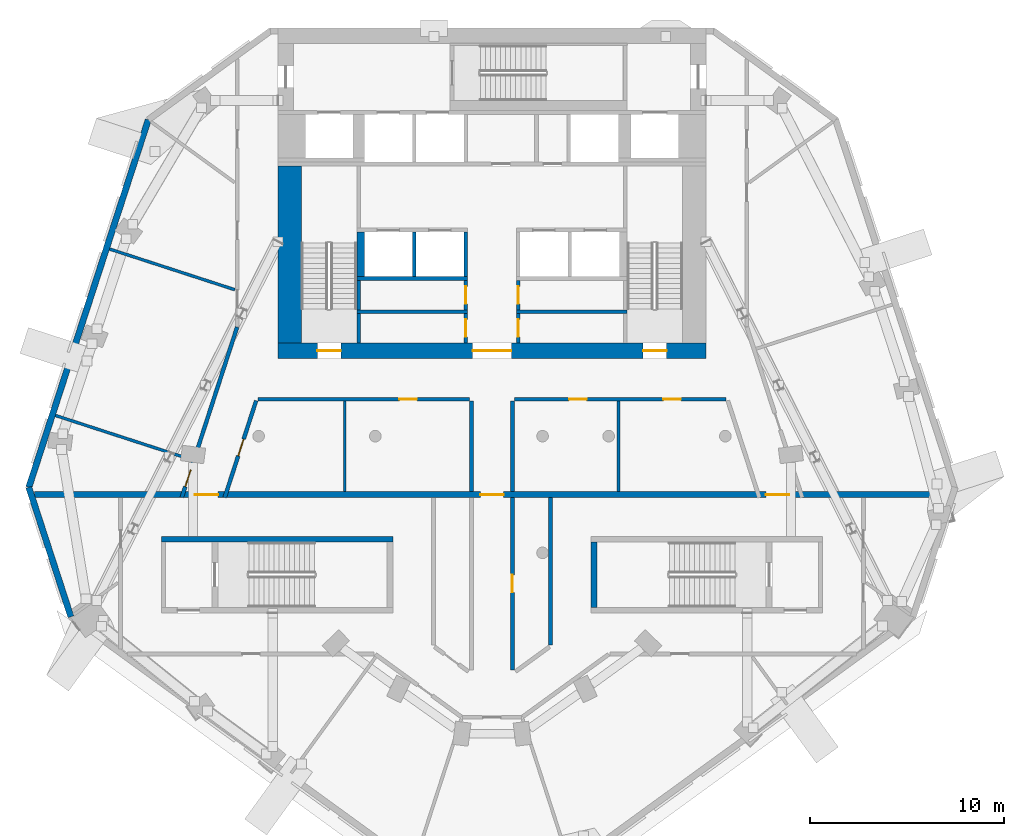
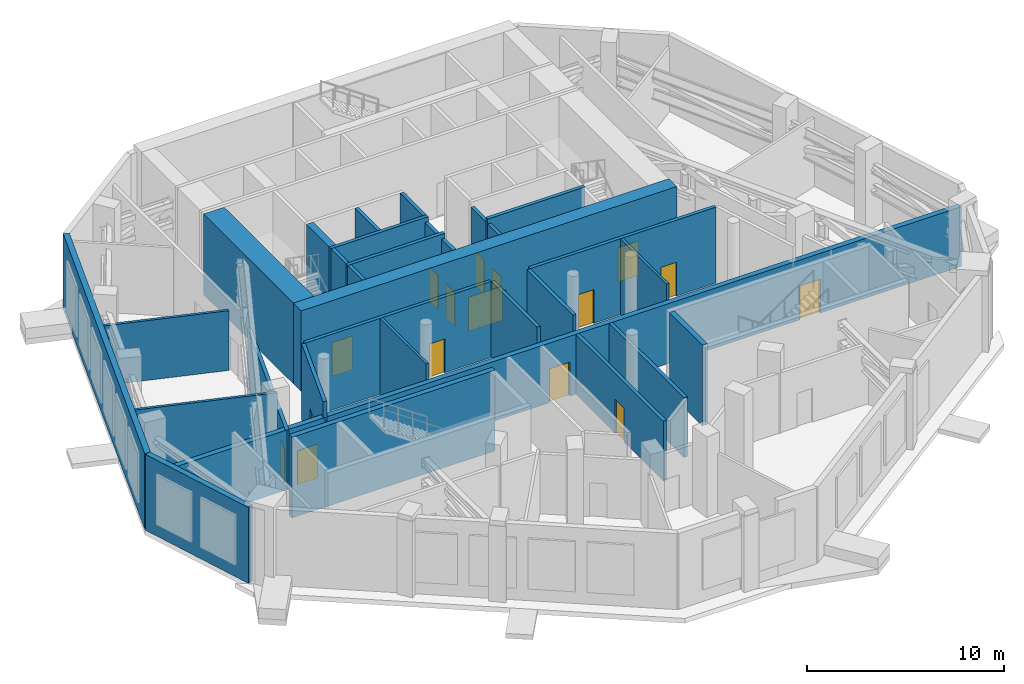
# One storey, part 8 of 16: 31 walls, 16 doors, 16 openings.
"""IFC4 building model written with IfcOpenShell, lengths in metres."""

from ifc_helpers import new_model, si_unit, direction, frame, frame_2d, origin, place, context, subcontext, project, spatial, rectangle, extrude, material, layer, layer_set, type_object, element, fill, save


model = new_model("IFC4")

# Units and contexts
model_context = context("Model", 3, precision=1e-05, world=origin(), true_north=direction((0.0, 1.0)))
body_context = subcontext(model_context, "Body", "Model", "MODEL_VIEW")
ifc_project = project(units=[si_unit("LENGTHUNIT", "METRE"), si_unit("AREAUNIT", "SQUARE_METRE"), si_unit("VOLUMEUNIT", "CUBIC_METRE"), si_unit("PLANEANGLEUNIT", "RADIAN"), si_unit("MASSUNIT", "GRAM", prefix="KILO")], contexts=[model_context])

# Site, building, storey
site_placement = place(None, origin())
site = spatial("IfcSite", under=ifc_project, at=site_placement, CompositionType="ELEMENT")
building_placement = place(site_placement, origin())
building = spatial("IfcBuilding", under=site, at=building_placement, Name="White Candle Pilgrim Tower", CompositionType="ELEMENT")
storey_placement = place(building_placement, frame((0.0, 0.0, 243.300048828125)))
storey = spatial("IfcBuildingStorey", under=building, at=storey_placement, Name="L57", CompositionType="ELEMENT", Elevation=243.300048828125)

# Wall, opening, door
ifc_material_1 = material(Name="Gypsum board on steel studs", Category="steel")
ifc_layer_1 = layer(ifc_material_1, 0.199951171875)
ifc_layer_set_1 = layer_set([ifc_layer_1], Name="Corridor wall 200 mm EI 45")
wall_type_1 = type_object("IfcWallType", Name="Corridor wall 200 mm EI 45", PredefinedType="PARTITIONING", material=ifc_layer_set_1)
wall_1_placement = place(storey_placement, frame((54.048828125, 63.85009765625, 0.0), z_axis=(0.0, 0.0, 1.0), x_axis=(0.309006358617, 0.951059971997, 0.0)))
wall_1 = element("IfcWall", 1, at=wall_1_placement, inside=storey, type_object=wall_type_1, Name="WL-L57-P002", PredefinedType="PARTITIONING", context=body_context, shape_type="SweptSolid", body=[
    extrude(rectangle(XDim=9.210693359375, YDim=0.199951171875, at=frame_2d((4.60546875, 0.0))), origin(), (0.0, 0.0, 1.0), 3.699951171875),
])
opening_1_placement = place(wall_1_placement, frame((0.590087890625, 0.0, 0.0)))
opening_1 = element("IfcOpeningElement", 2, at=opening_1_placement, cuts=wall_1, Name="Opening L57-111", PredefinedType="OPENING", context=body_context, shape_type="SweptSolid", body=[
    extrude(rectangle(XDim=0.89990234375, YDim=2.10009765625, at=frame_2d((0.449951171875, 1.050048828125))), frame((0.0, 0.10986328125, 0.0), z_axis=(0.0, -1.0, 0.0), x_axis=(1.0, 0.0, 0.0)), (0.0, 0.0, 1.0), 0.219970703125),
])
ifc_material_2 = material(Name="Steel door leaf", Category="steel")
door_type_1 = type_object("IfcDoorType", Name="Fire door 900 x 2100 EI 30", OperationType="NOTDEFINED", PredefinedType="DOOR", material=ifc_material_2)
door_1_placement = place(opening_1_placement, origin())
door_1 = element("IfcDoor", 3, at=door_1_placement, inside=storey, type_object=door_type_1, Name="Door L57-111", OperationType="SINGLE_SWING_LEFT", OverallHeight=2.10009765625, OverallWidth=0.89990234375, PredefinedType="DOOR", context=body_context, shape_type="SweptSolid", body=[
    extrude(rectangle(XDim=0.89990234375, YDim=2.10009765625, at=frame_2d((0.449951171875, 1.050048828125))), frame((0.0, 0.02490234375, 0.0), z_axis=(0.0, -1.0, 0.0), x_axis=(1.0, 0.0, 0.0)), (0.0, 0.0, 1.0), 0.050048828125),
])
fill(opening_1, door_1)

# Wall, openings, doors
wall_2_placement = place(storey_placement, frame((82.029541015625, 68.89990234375, 0.0), z_axis=(0.0, 0.0, 1.0), x_axis=(-1.0, 0.0, 0.0)))
wall_2 = element("IfcWall", 4, at=wall_2_placement, inside=storey, type_object=wall_type_1, Name="WL-L57-P013", PredefinedType="PARTITIONING", context=body_context, shape_type="SweptSolid", body=[
    extrude(rectangle(XDim=10.879638671875, YDim=0.199951171875, at=frame_2d((5.43994140625, 0.0))), origin(), (0.0, 0.0, 1.0), 4.699951171875),
])
opening_2_placement = place(wall_2_placement, frame((2.32080078125, 0.0, 0.0)))
opening_2 = element("IfcOpeningElement", 5, at=opening_2_placement, cuts=wall_2, Name="Opening L57-121", PredefinedType="OPENING", context=body_context, shape_type="SweptSolid", body=[
    extrude(rectangle(XDim=0.89990234375, YDim=2.10009765625, at=frame_2d((0.449951171875, 1.050048828125))), frame((0.0, 0.10986328125, 0.0), z_axis=(0.0, -1.0, 0.0), x_axis=(1.0, 0.0, 0.0)), (0.0, 0.0, 1.0), 0.219970703125),
])
opening_3_placement = place(wall_2_placement, frame((7.165771484375, 0.0, 0.0)))
opening_3 = element("IfcOpeningElement", 6, at=opening_3_placement, cuts=wall_2, Name="Opening L57-122", PredefinedType="OPENING", context=body_context, shape_type="SweptSolid", body=[
    extrude(rectangle(XDim=0.89990234375, YDim=2.10009765625, at=frame_2d((0.449951171875, 1.050048828125))), frame((0.0, 0.10986328125, 0.0), z_axis=(0.0, -1.0, 0.0), x_axis=(1.0, 0.0, 0.0)), (0.0, 0.0, 1.0), 0.219970703125),
])
door_2_placement = place(opening_2_placement, origin())
door_2 = element("IfcDoor", 7, at=door_2_placement, inside=storey, type_object=door_type_1, Name="Door L57-121", OperationType="SINGLE_SWING_LEFT", OverallHeight=2.10009765625, OverallWidth=0.89990234375, PredefinedType="DOOR", context=body_context, shape_type="SweptSolid", body=[
    extrude(rectangle(XDim=0.89990234375, YDim=2.10009765625, at=frame_2d((0.449951171875, 1.050048828125))), frame((0.0, 0.02490234375, 0.0), z_axis=(0.0, -1.0, 0.0), x_axis=(1.0, 0.0, 0.0)), (0.0, 0.0, 1.0), 0.050048828125),
])
fill(opening_2, door_2)
door_3_placement = place(opening_3_placement, origin())
door_3 = element("IfcDoor", 8, at=door_3_placement, inside=storey, type_object=door_type_1, Name="Door L57-122", OperationType="SINGLE_SWING_RIGHT", OverallHeight=2.10009765625, OverallWidth=0.89990234375, PredefinedType="DOOR", context=body_context, shape_type="SweptSolid", body=[
    extrude(rectangle(XDim=0.89990234375, YDim=2.10009765625, at=frame_2d((0.449951171875, 1.050048828125))), frame((0.0, 0.02490234375, 0.0), z_axis=(0.0, -1.0, 0.0), x_axis=(1.0, 0.0, 0.0)), (0.0, 0.0, 1.0), 0.050048828125),
])
fill(opening_3, door_3)

# Wall
wall_3_placement = place(storey_placement, frame((71.050048828125, 68.800048828125, 0.0), z_axis=(0.0, 0.0, 1.0), x_axis=(0.0, -1.0, 0.0)))
element("IfcWall", 9, at=wall_3_placement, inside=storey, type_object=wall_type_1, Name="WL-L57-P014", PredefinedType="PARTITIONING", context=body_context, shape_type="SweptSolid", body=[
    extrude(rectangle(XDim=4.650146484375, YDim=0.199951171875, at=frame_2d((2.3251953125, 0.0))), origin(), (0.0, 0.0, 1.0), 4.699951171875),
])

# Wall, opening, door
wall_4_placement = place(storey_placement, frame((71.050048828125, 63.85009765625, 0.0), z_axis=(0.0, 0.0, 1.0), x_axis=(0.0, -1.0, 0.0)))
wall_4 = element("IfcWall", 10, at=wall_4_placement, inside=storey, type_object=wall_type_1, Name="WL-L57-P015", PredefinedType="PARTITIONING", context=body_context, shape_type="SweptSolid", body=[
    extrude(rectangle(XDim=8.872314453125, YDim=0.199951171875, at=frame_2d((4.43603515625, 0.0))), origin(), (0.0, 0.0, 1.0), 3.699951171875),
])
opening_4_placement = place(wall_4_placement, frame((3.986083984375, 0.0, 0.0)))
opening_4 = element("IfcOpeningElement", 11, at=opening_4_placement, cuts=wall_4, Name="Opening L57-120", PredefinedType="OPENING", context=body_context, shape_type="SweptSolid", body=[
    extrude(rectangle(XDim=0.89990234375, YDim=2.10009765625, at=frame_2d((0.449951171875, 1.050048828125))), frame((0.0, 0.10986328125, 0.0), z_axis=(0.0, -1.0, 0.0), x_axis=(1.0, 0.0, 0.0)), (0.0, 0.0, 1.0), 0.219970703125),
])
door_4_placement = place(opening_4_placement, origin())
door_4 = element("IfcDoor", 12, at=door_4_placement, inside=storey, type_object=door_type_1, Name="Door L57-120", OperationType="SINGLE_SWING_RIGHT", OverallHeight=2.10009765625, OverallWidth=0.89990234375, PredefinedType="DOOR", context=body_context, shape_type="SweptSolid", body=[
    extrude(rectangle(XDim=0.89990234375, YDim=2.10009765625, at=frame_2d((0.449951171875, 1.050048828125))), frame((0.0, 0.02490234375, 0.0), z_axis=(0.0, -1.0, 0.0), x_axis=(1.0, 0.0, 0.0)), (0.0, 0.0, 1.0), 0.050048828125),
])
fill(opening_4, door_4)

# Walls
wall_5_placement = place(storey_placement, frame((73.0, 56.249267578125, 0.0), z_axis=(0.0, 0.0, 1.0), x_axis=(0.0, 1.0, 0.0)))
element("IfcWall", 13, at=wall_5_placement, inside=storey, type_object=wall_type_1, Name="WL-L57-P017", PredefinedType="PARTITIONING", context=body_context, shape_type="SweptSolid", body=[
    extrude(rectangle(XDim=7.600830078125, YDim=0.199951171875, at=frame_2d((3.80029296875, 0.0))), origin(), (0.0, 0.0, 1.0), 3.699951171875),
])
wall_6_placement = place(storey_placement, frame((68.949951171875, 64.14990234375, 0.0), z_axis=(0.0, 0.0, 1.0), x_axis=(0.0, 1.0, 0.0)))
element("IfcWall", 14, at=wall_6_placement, inside=storey, type_object=wall_type_1, Name="WL-L57-P021", PredefinedType="PARTITIONING", context=body_context, shape_type="SweptSolid", body=[
    extrude(rectangle(XDim=4.650146484375, YDim=0.199951171875, at=frame_2d((2.3251953125, 0.0))), origin(), (0.0, 0.0, 1.0), 4.699951171875),
])

# Wall, opening, door
wall_7_placement = place(storey_placement, frame((68.85009765625, 68.89990234375, 0.0), z_axis=(0.0, 0.0, 1.0), x_axis=(-1.0, 0.0, 0.0)))
wall_7 = element("IfcWall", 15, at=wall_7_placement, inside=storey, type_object=wall_type_1, Name="WL-L57-P022", PredefinedType="PARTITIONING", context=body_context, shape_type="SweptSolid", body=[
    extrude(rectangle(XDim=10.879638671875, YDim=0.199951171875, at=frame_2d((5.43994140625, 0.0))), origin(), (0.0, 0.0, 1.0), 4.699951171875),
])
opening_5_placement = place(wall_7_placement, frame((2.711669921875, 0.0, 0.0)))
opening_5 = element("IfcOpeningElement", 16, at=opening_5_placement, cuts=wall_7, Name="Opening L57-110", PredefinedType="OPENING", context=body_context, shape_type="SweptSolid", body=[
    extrude(rectangle(XDim=0.89990234375, YDim=2.10009765625, at=frame_2d((0.449951171875, 1.050048828125))), frame((0.0, 0.10986328125, 0.0), z_axis=(0.0, -1.0, 0.0), x_axis=(1.0, 0.0, 0.0)), (0.0, 0.0, 1.0), 0.219970703125),
])
door_5_placement = place(opening_5_placement, origin())
door_5 = element("IfcDoor", 17, at=door_5_placement, inside=storey, type_object=door_type_1, Name="Door L57-110", OperationType="SINGLE_SWING_RIGHT", OverallHeight=2.10009765625, OverallWidth=0.89990234375, PredefinedType="DOOR", context=body_context, shape_type="SweptSolid", body=[
    extrude(rectangle(XDim=0.89990234375, YDim=2.10009765625, at=frame_2d((0.449951171875, 1.050048828125))), frame((0.0, 0.02490234375, 0.0), z_axis=(0.0, -1.0, 0.0), x_axis=(1.0, 0.0, 0.0)), (0.0, 0.0, 1.0), 0.050048828125),
])
fill(opening_5, door_5)

wall_8_placement = place(storey_placement, frame((57.875244140625, 68.830810546875, 0.0), z_axis=(0.0, 0.0, 1.0), x_axis=(-0.309030204086, -0.951052224099, 0.0)))
wall_8 = element("IfcWall", 18, at=wall_8_placement, inside=storey, type_object=wall_type_1, Name="WL-L57-P023", PredefinedType="PARTITIONING", context=body_context, shape_type="SweptSolid", body=[
    extrude(rectangle(XDim=5.237060546875, YDim=0.199951171875, at=frame_2d((2.61865234375, 0.0))), origin(), (0.0, 0.0, 1.0), 4.699951171875),
])
opening_6_placement = place(wall_8_placement, frame((2.08935546875, 0.0, 0.0)))
opening_6 = element("IfcOpeningElement", 19, at=opening_6_placement, cuts=wall_8, Name="Opening L57-123", PredefinedType="OPENING", context=body_context, shape_type="SweptSolid", body=[
    extrude(rectangle(XDim=0.89990234375, YDim=2.10009765625, at=frame_2d((0.449951171875, 1.050048828125))), frame((0.0, 0.10986328125, 0.0), z_axis=(0.0, -1.0, 0.0), x_axis=(1.0, 0.0, 0.0)), (0.0, 0.0, 1.0), 0.219970703125),
])
door_6_placement = place(opening_6_placement, origin())
door_6 = element("IfcDoor", 20, at=door_6_placement, inside=storey, type_object=door_type_1, Name="Door L57-123", OperationType="SINGLE_SWING_LEFT", OverallHeight=2.10009765625, OverallWidth=0.89990234375, PredefinedType="DOOR", context=body_context, shape_type="SweptSolid", body=[
    extrude(rectangle(XDim=0.89990234375, YDim=2.10009765625, at=frame_2d((0.449951171875, 1.050048828125))), frame((0.0, 0.02490234375, 0.0), z_axis=(0.0, -1.0, 0.0), x_axis=(1.0, 0.0, 0.0)), (0.0, 0.0, 1.0), 0.050048828125),
])
fill(opening_6, door_6)

# Walls
ifc_material_3 = material(Name="Precast concrete C40/50", Category="concrete")
ifc_layer_2 = layer(ifc_material_3, 0.320068359375)
ifc_layer_set_2 = layer_set([ifc_layer_2], Name="Facade wall EW2 precast concrete C40/50 plant wall behind louvres")
wall_type_2 = type_object("IfcWallType", Name="Facade wall EW2 precast concrete C40/50 plant wall behind louvres", PredefinedType="SOLIDWALL", material=ifc_layer_set_2)
wall_9_placement = place(storey_placement, frame((46.184326171875, 64.368896484375, 0.0), z_axis=(0.0, 0.0, 1.0), x_axis=(0.309010371736, -0.951058668095, 0.0)))
element("IfcWall", 21, at=wall_9_placement, inside=storey, type_object=wall_type_2, Name="Facade wall L57 W chamfer", PredefinedType="SOLIDWALL", context=body_context, shape_type="SweptSolid", body=[
    extrude(rectangle(XDim=7.000732421875, YDim=0.320068359375, at=frame_2d((3.50048828125, 0.0))), origin(), (0.0, 0.0, 1.0), 4.699951171875),
])
wall_10_placement = place(storey_placement, frame((52.32568359375, 83.270751953125, 0.0), z_axis=(0.0, 0.0, 1.0), x_axis=(-0.309006630814, -0.951059883558, 0.0)))
element("IfcWall", 22, at=wall_10_placement, inside=storey, type_object=wall_type_2, Name="Facade wall L57 WNW", PredefinedType="SOLIDWALL", context=body_context, shape_type="SweptSolid", body=[
    extrude(rectangle(XDim=19.87451171875, YDim=0.320068359375, at=frame_2d((9.937255859375, 0.0))), origin(), (0.0, 0.0, 1.0), 4.699951171875),
])

# Wall, openings, doors
ifc_material_4 = material(Name="Aerated concrete block", Category="concrete")
ifc_layer_3 = layer(ifc_material_4, 0.300048828125)
ifc_layer_set_3 = layer_set([ifc_layer_3], Name="Fire wall 300 mm REI 240")
wall_type_3 = type_object("IfcWallType", Name="Fire wall 300 mm REI 240", PredefinedType="PARTITIONING", material=ifc_layer_set_3)
wall_11_placement = place(storey_placement, frame((46.472412109375, 64.0, 0.0), z_axis=(0.0, 0.0, 1.0), x_axis=(1.0, 0.0, 0.0)))
wall_11 = element("IfcWall", 23, at=wall_11_placement, inside=storey, type_object=wall_type_3, Name="WL-L57-P001", PredefinedType="PARTITIONING", context=body_context, shape_type="SweptSolid", body=[
    extrude(rectangle(XDim=47.05517578125, YDim=0.300048828125, at=frame_2d((23.527587890625, 0.0))), origin(), (0.0, 0.0, 1.0), 3.699951171875),
])
opening_7_placement = place(wall_11_placement, frame((8.2490234375, 0.0, 0.0)))
opening_7 = element("IfcOpeningElement", 24, at=opening_7_placement, cuts=wall_11, Name="Opening L57-107", PredefinedType="OPENING", context=body_context, shape_type="SweptSolid", body=[
    extrude(rectangle(XDim=1.199951171875, YDim=2.10009765625, at=frame_2d((0.60009765625, 1.050048828125))), frame((0.0, 0.159912109375, 0.0), z_axis=(0.0, -1.0, 0.0), x_axis=(1.0, 0.0, 0.0)), (0.0, 0.0, 1.0), 0.320068359375),
])
opening_8_placement = place(wall_11_placement, frame((22.927490234375, 0.0, 0.0)))
opening_8 = element("IfcOpeningElement", 25, at=opening_8_placement, cuts=wall_11, Name="Opening L57-108", PredefinedType="OPENING", context=body_context, shape_type="SweptSolid", body=[
    extrude(rectangle(XDim=1.199951171875, YDim=2.10009765625, at=frame_2d((0.60009765625, 1.050048828125))), frame((0.0, 0.159912109375, 0.0), z_axis=(0.0, -1.0, 0.0), x_axis=(1.0, 0.0, 0.0)), (0.0, 0.0, 1.0), 0.320068359375),
])
opening_9_placement = place(wall_11_placement, frame((37.606201171875, 0.0, 0.0)))
opening_9 = element("IfcOpeningElement", 26, at=opening_9_placement, cuts=wall_11, Name="Opening L57-109", PredefinedType="OPENING", context=body_context, shape_type="SweptSolid", body=[
    extrude(rectangle(XDim=1.199951171875, YDim=2.10009765625, at=frame_2d((0.60009765625, 1.050048828125))), frame((0.0, 0.159912109375, 0.0), z_axis=(0.0, -1.0, 0.0), x_axis=(1.0, 0.0, 0.0)), (0.0, 0.0, 1.0), 0.320068359375),
])
door_type_2 = type_object("IfcDoorType", Name="Fire door 1200 x 2100 EI 60", OperationType="NOTDEFINED", PredefinedType="DOOR", material=ifc_material_2)
door_7_placement = place(opening_7_placement, origin())
door_7 = element("IfcDoor", 27, at=door_7_placement, inside=storey, type_object=door_type_2, Name="Door L57-107", OperationType="SINGLE_SWING_LEFT", OverallHeight=2.10009765625, OverallWidth=1.199951171875, PredefinedType="DOOR", context=body_context, shape_type="SweptSolid", body=[
    extrude(rectangle(XDim=1.199951171875, YDim=2.10009765625, at=frame_2d((0.60009765625, 1.050048828125))), frame((0.0, 0.02490234375, 0.0), z_axis=(0.0, -1.0, 0.0), x_axis=(1.0, 0.0, 0.0)), (0.0, 0.0, 1.0), 0.050048828125),
])
fill(opening_7, door_7)
door_8_placement = place(opening_8_placement, origin())
door_8 = element("IfcDoor", 28, at=door_8_placement, inside=storey, type_object=door_type_2, Name="Door L57-108", OperationType="SINGLE_SWING_RIGHT", OverallHeight=2.10009765625, OverallWidth=1.199951171875, PredefinedType="DOOR", context=body_context, shape_type="SweptSolid", body=[
    extrude(rectangle(XDim=1.199951171875, YDim=2.10009765625, at=frame_2d((0.60009765625, 1.050048828125))), frame((0.0, 0.02490234375, 0.0), z_axis=(0.0, -1.0, 0.0), x_axis=(1.0, 0.0, 0.0)), (0.0, 0.0, 1.0), 0.050048828125),
])
fill(opening_8, door_8)
door_9_placement = place(opening_9_placement, origin())
door_9 = element("IfcDoor", 29, at=door_9_placement, inside=storey, type_object=door_type_2, Name="Door L57-109", OperationType="SINGLE_SWING_LEFT", OverallHeight=2.10009765625, OverallWidth=1.199951171875, PredefinedType="DOOR", context=body_context, shape_type="SweptSolid", body=[
    extrude(rectangle(XDim=1.199951171875, YDim=2.10009765625, at=frame_2d((0.60009765625, 1.050048828125))), frame((0.0, 0.02490234375, 0.0), z_axis=(0.0, -1.0, 0.0), x_axis=(1.0, 0.0, 0.0)), (0.0, 0.0, 1.0), 0.050048828125),
])
fill(opening_9, door_9)

# Wall, opening, door
ifc_layer_4 = layer(ifc_material_1, 0.199951171875)
ifc_layer_set_4 = layer_set([ifc_layer_4], Name="Lobby wall 200 mm EI 60")
wall_type_4 = type_object("IfcWallType", Name="Lobby wall 200 mm EI 60", PredefinedType="PARTITIONING", material=ifc_layer_set_4)
wall_12_placement = place(storey_placement, frame((68.64990234375, 71.800048828125, 0.0), z_axis=(0.0, 0.0, 1.0), x_axis=(0.0, 1.0, 0.0)))
wall_12 = element("IfcWall", 30, at=wall_12_placement, inside=storey, type_object=wall_type_4, Name="WL-L57-C14", PredefinedType="PARTITIONING", context=body_context, shape_type="SweptSolid", body=[
    extrude(rectangle(XDim=1.5, YDim=0.199951171875, at=frame_2d((0.75, 0.0))), origin(), (0.0, 0.0, 1.0), 4.699951171875),
])
opening_10_placement = place(wall_12_placement, frame((0.300048828125, 0.0, 0.0)))
opening_10 = element("IfcOpeningElement", 31, at=opening_10_placement, cuts=wall_12, Name="Opening L57-005", PredefinedType="OPENING", context=body_context, shape_type="SweptSolid", body=[
    extrude(rectangle(XDim=0.89990234375, YDim=2.10009765625, at=frame_2d((0.449951171875, 1.050048828125))), frame((0.0, 0.10986328125, 0.0), z_axis=(0.0, -1.0, 0.0), x_axis=(1.0, 0.0, 0.0)), (0.0, 0.0, 1.0), 0.219970703125),
])
door_10_placement = place(opening_10_placement, origin())
door_10 = element("IfcDoor", 32, at=door_10_placement, inside=storey, type_object=door_type_1, Name="Door L57-005", OperationType="SINGLE_SWING_LEFT", OverallHeight=2.10009765625, OverallWidth=0.89990234375, PredefinedType="DOOR", context=body_context, shape_type="SweptSolid", body=[
    extrude(rectangle(XDim=0.89990234375, YDim=2.10009765625, at=frame_2d((0.449951171875, 1.050048828125))), frame((0.0, 0.02490234375, 0.0), z_axis=(0.0, -1.0, 0.0), x_axis=(1.0, 0.0, 0.0)), (0.0, 0.0, 1.0), 0.050048828125),
])
fill(opening_10, door_10)

wall_13_placement = place(storey_placement, frame((71.35009765625, 71.800048828125, 0.0), z_axis=(0.0, 0.0, 1.0), x_axis=(0.0, 1.0, 0.0)))
wall_13 = element("IfcWall", 33, at=wall_13_placement, inside=storey, type_object=wall_type_4, Name="WL-L57-C15", PredefinedType="PARTITIONING", context=body_context, shape_type="SweptSolid", body=[
    extrude(rectangle(XDim=1.5, YDim=0.199951171875, at=frame_2d((0.75, 0.0))), origin(), (0.0, 0.0, 1.0), 4.699951171875),
])
opening_11_placement = place(wall_13_placement, frame((0.300048828125, 0.0, 0.0)))
opening_11 = element("IfcOpeningElement", 34, at=opening_11_placement, cuts=wall_13, Name="Opening L57-007", PredefinedType="OPENING", context=body_context, shape_type="SweptSolid", body=[
    extrude(rectangle(XDim=0.89990234375, YDim=2.10009765625, at=frame_2d((0.449951171875, 1.050048828125))), frame((0.0, 0.10986328125, 0.0), z_axis=(0.0, -1.0, 0.0), x_axis=(1.0, 0.0, 0.0)), (0.0, 0.0, 1.0), 0.219970703125),
])
door_11_placement = place(opening_11_placement, origin())
door_11 = element("IfcDoor", 35, at=door_11_placement, inside=storey, type_object=door_type_1, Name="Door L57-007", OperationType="SINGLE_SWING_LEFT", OverallHeight=2.10009765625, OverallWidth=0.89990234375, PredefinedType="DOOR", context=body_context, shape_type="SweptSolid", body=[
    extrude(rectangle(XDim=0.89990234375, YDim=2.10009765625, at=frame_2d((0.449951171875, 1.050048828125))), frame((0.0, 0.02490234375, 0.0), z_axis=(0.0, -1.0, 0.0), x_axis=(1.0, 0.0, 0.0)), (0.0, 0.0, 1.0), 0.050048828125),
])
fill(opening_11, door_11)

wall_14_placement = place(storey_placement, frame((68.64990234375, 73.5, 0.0), z_axis=(0.0, 0.0, 1.0), x_axis=(0.0, 1.0, 0.0)))
wall_14 = element("IfcWall", 36, at=wall_14_placement, inside=storey, type_object=wall_type_4, Name="WL-L57-C21", PredefinedType="PARTITIONING", context=body_context, shape_type="SweptSolid", body=[
    extrude(rectangle(XDim=1.5, YDim=0.199951171875, at=frame_2d((0.75, 0.0))), origin(), (0.0, 0.0, 1.0), 4.699951171875),
])
opening_12_placement = place(wall_14_placement, frame((0.300048828125, 0.0, 0.0)))
opening_12 = element("IfcOpeningElement", 37, at=opening_12_placement, cuts=wall_14, Name="Opening L57-006", PredefinedType="OPENING", context=body_context, shape_type="SweptSolid", body=[
    extrude(rectangle(XDim=0.89990234375, YDim=2.10009765625, at=frame_2d((0.449951171875, 1.050048828125))), frame((0.0, 0.10986328125, 0.0), z_axis=(0.0, -1.0, 0.0), x_axis=(1.0, 0.0, 0.0)), (0.0, 0.0, 1.0), 0.219970703125),
])
door_12_placement = place(opening_12_placement, origin())
door_12 = element("IfcDoor", 38, at=door_12_placement, inside=storey, type_object=door_type_1, Name="Door L57-006", OperationType="SINGLE_SWING_RIGHT", OverallHeight=2.10009765625, OverallWidth=0.89990234375, PredefinedType="DOOR", context=body_context, shape_type="SweptSolid", body=[
    extrude(rectangle(XDim=0.89990234375, YDim=2.10009765625, at=frame_2d((0.449951171875, 1.050048828125))), frame((0.0, 0.02490234375, 0.0), z_axis=(0.0, -1.0, 0.0), x_axis=(1.0, 0.0, 0.0)), (0.0, 0.0, 1.0), 0.050048828125),
])
fill(opening_12, door_12)

wall_15_placement = place(storey_placement, frame((71.35009765625, 73.5, 0.0), z_axis=(0.0, 0.0, 1.0), x_axis=(0.0, 1.0, 0.0)))
wall_15 = element("IfcWall", 39, at=wall_15_placement, inside=storey, type_object=wall_type_4, Name="WL-L57-C22", PredefinedType="PARTITIONING", context=body_context, shape_type="SweptSolid", body=[
    extrude(rectangle(XDim=1.5, YDim=0.199951171875, at=frame_2d((0.75, 0.0))), origin(), (0.0, 0.0, 1.0), 4.699951171875),
])
opening_13_placement = place(wall_15_placement, frame((0.300048828125, 0.0, 0.0)))
opening_13 = element("IfcOpeningElement", 40, at=opening_13_placement, cuts=wall_15, Name="Opening L57-008", PredefinedType="OPENING", context=body_context, shape_type="SweptSolid", body=[
    extrude(rectangle(XDim=0.89990234375, YDim=2.10009765625, at=frame_2d((0.449951171875, 1.050048828125))), frame((0.0, 0.10986328125, 0.0), z_axis=(0.0, -1.0, 0.0), x_axis=(1.0, 0.0, 0.0)), (0.0, 0.0, 1.0), 0.219970703125),
])
door_13_placement = place(opening_13_placement, origin())
door_13 = element("IfcDoor", 41, at=door_13_placement, inside=storey, type_object=door_type_1, Name="Door L57-008", OperationType="SINGLE_SWING_RIGHT", OverallHeight=2.10009765625, OverallWidth=0.89990234375, PredefinedType="DOOR", context=body_context, shape_type="SweptSolid", body=[
    extrude(rectangle(XDim=0.89990234375, YDim=2.10009765625, at=frame_2d((0.449951171875, 1.050048828125))), frame((0.0, 0.02490234375, 0.0), z_axis=(0.0, -1.0, 0.0), x_axis=(1.0, 0.0, 0.0)), (0.0, 0.0, 1.0), 0.050048828125),
])
fill(opening_13, door_13)

# Walls
ifc_layer_5 = layer(ifc_material_1, 0.14990234375)
ifc_layer_set_5 = layer_set([ifc_layer_5], Name="Partition 150 mm EI 60")
wall_type_5 = type_object("IfcWallType", Name="Partition 150 mm EI 60", PredefinedType="PARTITIONING", material=ifc_layer_set_5)
wall_16_placement = place(storey_placement, frame((50.334228515625, 76.62353515625, 0.0), z_axis=(0.0, 0.0, 1.0), x_axis=(0.95105975592, -0.309007023656, 0.0)))
element("IfcWall", 42, at=wall_16_placement, inside=storey, type_object=wall_type_5, Name="WL-L57-P031", PredefinedType="PARTITIONING", context=body_context, shape_type="SweptSolid", body=[
    extrude(rectangle(XDim=6.774169921875, YDim=0.14990234375, at=frame_2d((3.38720703125, 0.0))), origin(), (0.0, 0.0, 1.0), 3.699951171875),
])
wall_17_placement = place(storey_placement, frame((47.552978515625, 68.06396484375, 0.0), z_axis=(0.0, 0.0, 1.0), x_axis=(0.951060806233, -0.309003790992, 0.0)))
element("IfcWall", 43, at=wall_17_placement, inside=storey, type_object=wall_type_5, Name="WL-L57-P032", PredefinedType="PARTITIONING", context=body_context, shape_type="SweptSolid", body=[
    extrude(rectangle(XDim=7.380126953125, YDim=0.14990234375, at=frame_2d((3.68994140625, 0.0))), origin(), (0.0, 0.0, 1.0), 4.699951171875),
])
for number, where, z_axis, x_axis, name in (
    (44, (62.4267578125, 64.14990234375, 0.0), (0.0, 0.0, 1.0), (0.0, 1.0, 0.0), "WL-L57-P036"),
    (45, (76.504638671875, 64.14990234375, 0.0), (0.0, 0.0, 1.0), (0.0, 1.0, 0.0), "WL-L57-P037"),
):
    element("IfcWall", number, at=place(storey_placement, frame(where, z_axis=z_axis, x_axis=x_axis)), inside=storey, type_object=wall_type_5, Name=name, PredefinedType="PARTITIONING", context=body_context, shape_type="SweptSolid", body=[
        extrude(rectangle(XDim=4.650146484375, YDim=0.14990234375, at=frame_2d((2.3251953125, 0.0))), origin(), (0.0, 0.0, 1.0), 4.699951171875),
    ])
ifc_material_5 = material(Name="Concrete C50/60", Category="concrete")
ifc_layer_6 = layer(ifc_material_5, 0.199951171875)
ifc_layer_set_6 = layer_set([ifc_layer_6], Name="Shaft wall 200 mm Concrete C50/60")
wall_type_6 = type_object("IfcWallType", Name="Shaft wall 200 mm Concrete C50/60", PredefinedType="SHEAR", material=ifc_layer_set_6)
for number, where, z_axis, x_axis, name in (
    (46, (66.0, 75.199951171875, 0.0), (0.0, 0.0, 1.0), (0.0, 1.0, 0.0), "WL-L57-C27"),
    (47, (68.64990234375, 75.199951171875, 0.0), (0.0, 0.0, 1.0), (0.0, 1.0, 0.0), "WL-L57-C28"),
):
    element("IfcWall", number, at=place(storey_placement, frame(where, z_axis=z_axis, x_axis=x_axis)), inside=storey, type_object=wall_type_6, Name=name, PredefinedType="SHEAR", context=body_context, shape_type="SweptSolid", body=[
        extrude(rectangle(XDim=2.300048828125, YDim=0.199951171875, at=frame_2d((1.14990234375, 0.0))), origin(), (0.0, 0.0, 1.0), 5.0),
    ])
ifc_layer_7 = layer(ifc_material_5, 1.199951171875)
ifc_layer_set_7 = layer_set([ifc_layer_7], Name="Stair shaft wall 1200 mm Concrete C50/60")
wall_type_7 = type_object("IfcWallType", Name="Stair shaft wall 1200 mm Concrete C50/60", PredefinedType="SHEAR", material=ifc_layer_set_7)
wall_18_placement = place(storey_placement, frame((59.60009765625, 71.800048828125, 0.0), z_axis=(0.0, 0.0, 1.0), x_axis=(0.0, 1.0, 0.0)))
element("IfcWall", 48, at=wall_18_placement, inside=storey, type_object=wall_type_7, Name="WL-L57-C12", PredefinedType="SHEAR", context=body_context, shape_type="SweptSolid", body=[
    extrude(rectangle(XDim=9.099853515625, YDim=1.199951171875, at=frame_2d((4.5498046875, 0.0))), origin(), (0.0, 0.0, 1.0), 5.0),
])
ifc_layer_8 = layer(ifc_material_5, 0.199951171875)
ifc_layer_set_8 = layer_set([ifc_layer_8], Name="Stair shaft wall 200 mm Concrete C50/60")
wall_type_8 = type_object("IfcWallType", Name="Stair shaft wall 200 mm Concrete C50/60", PredefinedType="SHEAR", material=ifc_layer_set_8)
wall_19_placement = place(storey_placement, frame((63.14990234375, 71.800048828125, 0.0), z_axis=(0.0, 0.0, 1.0), x_axis=(0.0, 1.0, 0.0)))
element("IfcWall", 49, at=wall_19_placement, inside=storey, type_object=wall_type_8, Name="WL-L57-C13", PredefinedType="SHEAR", context=body_context, shape_type="SweptSolid", body=[
    extrude(rectangle(XDim=1.5, YDim=0.199951171875, at=frame_2d((0.75, 0.0))), origin(), (0.0, 0.0, 1.0), 5.0),
])
for number, where, z_axis, x_axis, name in (
    (50, (63.050048828125, 73.39990234375, 0.0), (0.0, 0.0, 1.0), (1.0, 0.0, 0.0), "WL-L57-C18"),
    (51, (71.25, 73.39990234375, 0.0), (0.0, 0.0, 1.0), (1.0, 0.0, 0.0), "WL-L57-C19"),
):
    element("IfcWall", number, at=place(storey_placement, frame(where, z_axis=z_axis, x_axis=x_axis)), inside=storey, type_object=wall_type_8, Name=name, PredefinedType="SHEAR", context=body_context, shape_type="SweptSolid", body=[
        extrude(rectangle(XDim=5.699951171875, YDim=0.199951171875, at=frame_2d((2.85009765625, 0.0))), origin(), (0.0, 0.0, 1.0), 5.0),
    ])
wall_20_placement = place(storey_placement, frame((63.14990234375, 73.5, 0.0), z_axis=(0.0, 0.0, 1.0), x_axis=(0.0, 1.0, 0.0)))
element("IfcWall", 52, at=wall_20_placement, inside=storey, type_object=wall_type_8, Name="WL-L57-C20", PredefinedType="SHEAR", context=body_context, shape_type="SweptSolid", body=[
    extrude(rectangle(XDim=1.5, YDim=0.199951171875, at=frame_2d((0.75, 0.0))), origin(), (0.0, 0.0, 1.0), 5.0),
])
wall_21_placement = place(storey_placement, frame((63.050048828125, 75.10009765625, 0.0), z_axis=(0.0, 0.0, 1.0), x_axis=(1.0, 0.0, 0.0)))
element("IfcWall", 53, at=wall_21_placement, inside=storey, type_object=wall_type_8, Name="WL-L57-C24", PredefinedType="SHEAR", context=body_context, shape_type="SweptSolid", body=[
    extrude(rectangle(XDim=5.699951171875, YDim=0.199951171875, at=frame_2d((2.85009765625, 0.0))), origin(), (0.0, 0.0, 1.0), 5.0),
])
ifc_layer_9 = layer(ifc_material_5, 0.300048828125)
ifc_layer_set_9 = layer_set([ifc_layer_9], Name="Stair shaft wall 300 mm Concrete C50/60")
wall_type_9 = type_object("IfcWallType", Name="Stair shaft wall 300 mm Concrete C50/60", PredefinedType="SHEAR", material=ifc_layer_set_9)
wall_22_placement = place(storey_placement, frame((75.25, 58.199951171875, 0.0), z_axis=(0.0, 0.0, 1.0), x_axis=(0.0, 1.0, 0.0)))
element("IfcWall", 54, at=wall_22_placement, inside=storey, type_object=wall_type_9, Name="WL-L57-C06", PredefinedType="SHEAR", context=body_context, shape_type="SweptSolid", body=[
    extrude(rectangle(XDim=3.35009765625, YDim=0.300048828125, at=frame_2d((1.675048828125, 0.0))), origin(), (0.0, 0.0, 1.0), 5.0),
])
wall_23_placement = place(storey_placement, frame((53.0, 61.699951171875, 0.0), z_axis=(0.0, 0.0, 1.0), x_axis=(1.0, 0.0, 0.0)))
element("IfcWall", 55, at=wall_23_placement, inside=storey, type_object=wall_type_9, Name="WL-L57-C09", PredefinedType="SHEAR", context=body_context, shape_type="SweptSolid", body=[
    extrude(rectangle(XDim=11.89990234375, YDim=0.300048828125, at=frame_2d((5.949951171875, 0.0))), origin(), (0.0, 0.0, 1.0), 5.0),
])
ifc_layer_10 = layer(ifc_material_5, 0.39990234375)
ifc_layer_set_10 = layer_set([ifc_layer_10], Name="Stair shaft wall 400 mm Concrete C50/60")
wall_type_10 = type_object("IfcWallType", Name="Stair shaft wall 400 mm Concrete C50/60", PredefinedType="SHEAR", material=ifc_layer_set_10)
wall_24_placement = place(storey_placement, frame((63.25, 75.199951171875, 0.0), z_axis=(0.0, 0.0, 1.0), x_axis=(0.0, 1.0, 0.0)))
element("IfcWall", 56, at=wall_24_placement, inside=storey, type_object=wall_type_10, Name="WL-L57-C26", PredefinedType="SHEAR", context=body_context, shape_type="SweptSolid", body=[
    extrude(rectangle(XDim=2.300048828125, YDim=0.39990234375, at=frame_2d((1.14990234375, 0.0))), origin(), (0.0, 0.0, 1.0), 5.0),
])

# Wall, openings, doors
ifc_layer_11 = layer(ifc_material_5, 0.800048828125)
ifc_layer_set_11 = layer_set([ifc_layer_11], Name="Stair shaft wall 800 mm Concrete C50/60")
wall_type_11 = type_object("IfcWallType", Name="Stair shaft wall 800 mm Concrete C50/60", PredefinedType="SHEAR", material=ifc_layer_set_11)
wall_25_placement = place(storey_placement, frame((59.0, 71.39990234375, 0.0), z_axis=(0.0, 0.0, 1.0), x_axis=(1.0, 0.0, 0.0)))
wall_25 = element("IfcWall", 57, at=wall_25_placement, inside=storey, type_object=wall_type_11, Name="WL-L57-C11", PredefinedType="SHEAR", context=body_context, shape_type="SweptSolid", body=[
    extrude(rectangle(XDim=22.0, YDim=0.800048828125, at=frame_2d((11.0, 0.0))), origin(), (0.0, 0.0, 1.0), 5.0),
])
opening_14_placement = place(wall_25_placement, frame((2.02490234375, 0.0, 0.0)))
opening_14 = element("IfcOpeningElement", 58, at=opening_14_placement, cuts=wall_25, Name="Opening L57-001", PredefinedType="OPENING", context=body_context, shape_type="SweptSolid", body=[
    extrude(rectangle(XDim=1.199951171875, YDim=2.10009765625, at=frame_2d((0.60009765625, 1.050048828125))), frame((0.0, 0.409912109375, 0.0), z_axis=(0.0, -1.0, 0.0), x_axis=(1.0, 0.0, 0.0)), (0.0, 0.0, 1.0), 0.820068359375),
])
opening_15_placement = place(wall_25_placement, frame((18.77490234375, 0.0, 0.0)))
opening_15 = element("IfcOpeningElement", 59, at=opening_15_placement, cuts=wall_25, Name="Opening L57-002", PredefinedType="OPENING", context=body_context, shape_type="SweptSolid", body=[
    extrude(rectangle(XDim=1.199951171875, YDim=2.10009765625, at=frame_2d((0.60009765625, 1.050048828125))), frame((0.0, 0.409912109375, 0.0), z_axis=(0.0, -1.0, 0.0), x_axis=(1.0, 0.0, 0.0)), (0.0, 0.0, 1.0), 0.820068359375),
])
opening_16_placement = place(wall_25_placement, frame((10.0, 0.0, 0.0)))
opening_16 = element("IfcOpeningElement", 60, at=opening_16_placement, cuts=wall_25, Name="Opening L57-004", PredefinedType="OPENING", context=body_context, shape_type="SweptSolid", body=[
    extrude(rectangle(XDim=2.0, YDim=2.10009765625, at=frame_2d((1.0, 1.050048828125))), frame((0.0, 0.409912109375, 0.0), z_axis=(0.0, -1.0, 0.0), x_axis=(1.0, 0.0, 0.0)), (0.0, 0.0, 1.0), 0.820068359375),
])
door_14_placement = place(opening_14_placement, frame((1.199951171875, 0.0, 0.0), z_axis=(0.0, 0.0, 1.0), x_axis=(-1.0, 0.0, 0.0)))
door_14 = element("IfcDoor", 61, at=door_14_placement, inside=storey, type_object=door_type_2, Name="Door L57-001", OperationType="SINGLE_SWING_RIGHT", OverallHeight=2.10009765625, OverallWidth=1.199951171875, PredefinedType="DOOR", context=body_context, shape_type="SweptSolid", body=[
    extrude(rectangle(XDim=1.199951171875, YDim=2.10009765625, at=frame_2d((0.60009765625, 1.050048828125))), frame((0.0, 0.02490234375, 0.0), z_axis=(0.0, -1.0, 0.0), x_axis=(1.0, 0.0, 0.0)), (0.0, 0.0, 1.0), 0.050048828125),
])
fill(opening_14, door_14)
door_15_placement = place(opening_15_placement, frame((1.199951171875, 0.0, 0.0), z_axis=(0.0, 0.0, 1.0), x_axis=(-1.0, 0.0, 0.0)))
door_15 = element("IfcDoor", 62, at=door_15_placement, inside=storey, type_object=door_type_2, Name="Door L57-002", OperationType="SINGLE_SWING_LEFT", OverallHeight=2.10009765625, OverallWidth=1.199951171875, PredefinedType="DOOR", context=body_context, shape_type="SweptSolid", body=[
    extrude(rectangle(XDim=1.199951171875, YDim=2.10009765625, at=frame_2d((0.60009765625, 1.050048828125))), frame((0.0, 0.02490234375, 0.0), z_axis=(0.0, -1.0, 0.0), x_axis=(1.0, 0.0, 0.0)), (0.0, 0.0, 1.0), 0.050048828125),
])
fill(opening_15, door_15)
door_type_3 = type_object("IfcDoorType", Name="Fire door 2000 x 2100 EI 60", OperationType="NOTDEFINED", PredefinedType="DOOR", material=ifc_material_2)
door_16_placement = place(opening_16_placement, frame((2.0, 0.0, 0.0), z_axis=(0.0, 0.0, 1.0), x_axis=(-1.0, 0.0, 0.0)))
door_16 = element("IfcDoor", 63, at=door_16_placement, inside=storey, type_object=door_type_3, Name="Door L57-004", OperationType="DOUBLE_DOOR_SINGLE_SWING", OverallHeight=2.10009765625, OverallWidth=2.0, PredefinedType="DOOR", context=body_context, shape_type="SweptSolid", body=[
    extrude(rectangle(XDim=2.0, YDim=2.10009765625, at=frame_2d((1.0, 1.050048828125))), frame((0.0, 0.02490234375, 0.0), z_axis=(0.0, -1.0, 0.0), x_axis=(1.0, 0.0, 0.0)), (0.0, 0.0, 1.0), 0.050048828125),
])
fill(opening_16, door_16)

save(model, "model.ifc")
